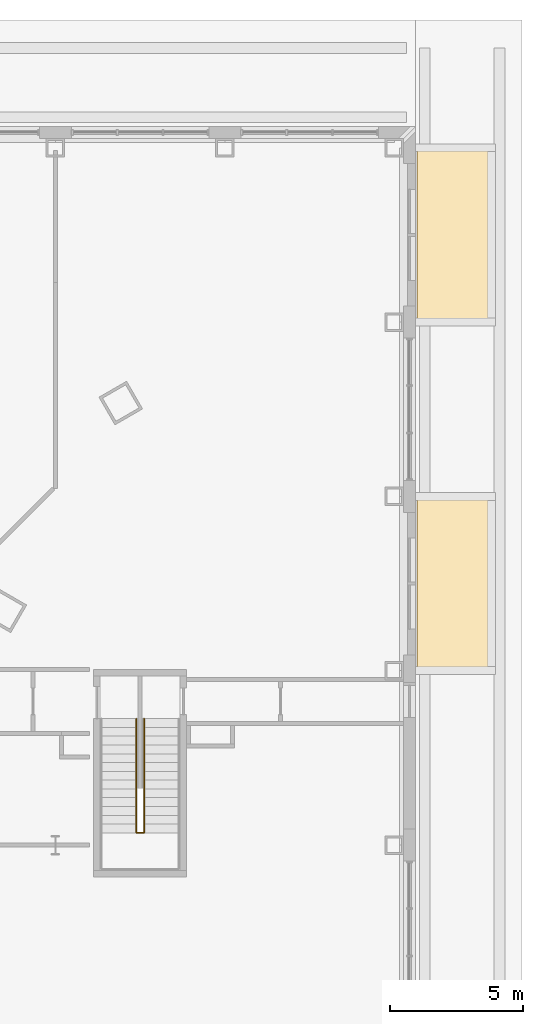
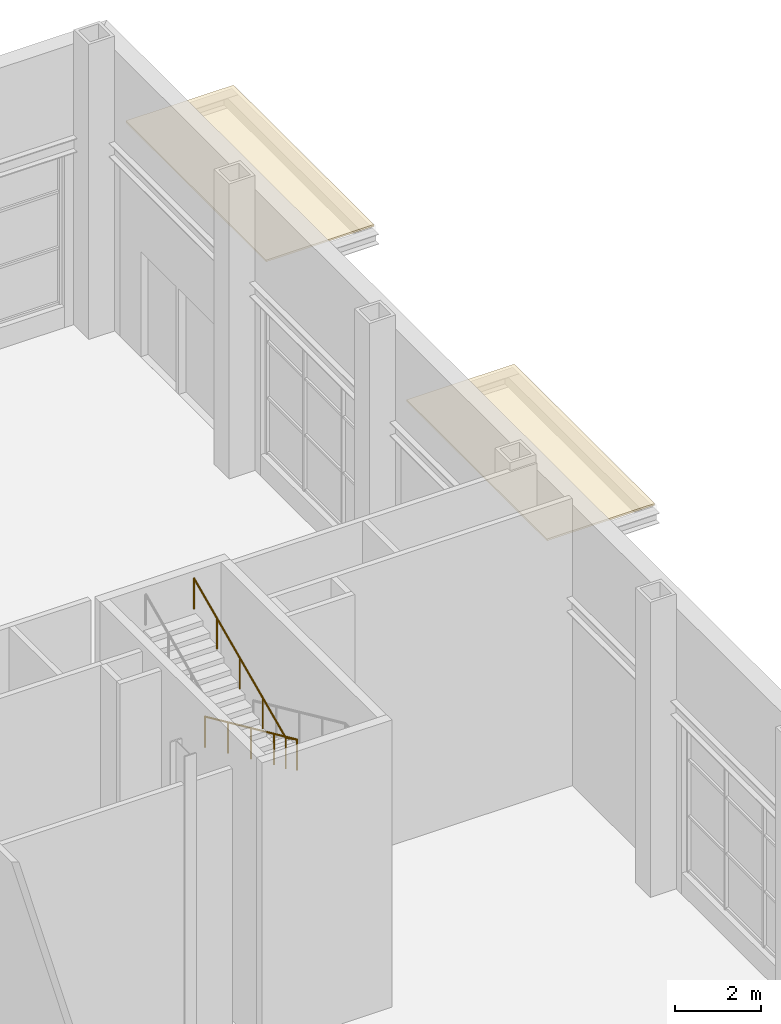
# One storey, part 33 of 34: 2 coverings, 1 railing.
"""IFC4 building model written with IfcOpenShell, lengths in metres."""

from ifc_helpers import new_model, si_unit, direction, frame, origin, origin_2d, place, context, subcontext, project, spatial, polyline, circle, outline, extrude, material, layer, layer_set, type_object, element, save


model = new_model("IFC4")

# Units and contexts
model_context = context("Model", 3, precision=1e-05, world=origin(), true_north=direction((0.0, 1.0)))
body_context = subcontext(model_context, "Body", "Model", "MODEL_VIEW")
ifc_project = project(units=[si_unit("LENGTHUNIT", "METRE"), si_unit("AREAUNIT", "SQUARE_METRE"), si_unit("VOLUMEUNIT", "CUBIC_METRE"), si_unit("PLANEANGLEUNIT", "RADIAN"), si_unit("MASSUNIT", "GRAM", prefix="KILO")], contexts=[model_context])

# Site, building, storey
site_placement = place(None, origin())
site = spatial("IfcSite", under=ifc_project, at=site_placement, CompositionType="ELEMENT")
building_placement = place(site_placement, origin())
building = spatial("IfcBuilding", under=site, at=building_placement, Name="Njiva Tower", CompositionType="ELEMENT")
storey_placement = place(building_placement, origin())
storey = spatial("IfcBuildingStorey", under=building, at=storey_placement, Name="L00", CompositionType="ELEMENT", Elevation=0.0)

# Coverings
ifc_material_1 = material(Name="Roofing membrane and ballast", Category="membrane")
ifc_layer = layer(ifc_material_1, 0.05)
ifc_layer_set = layer_set([ifc_layer], Name="Roofing membrane and ballast")
covering_type = type_object("IfcCoveringType", Name="RF90 Canopy roof finish 50", PredefinedType="ROOFING", material=ifc_layer_set)
covering_1_placement = place(storey_placement, frame((0.0, 0.0, 5.55)))
element("IfcCovering", 1, at=covering_1_placement, inside=storey, type_object=covering_type, Name="Canopy roof finish", PredefinedType="ROOFING", context=body_context, shape_type="SweptSolid", body=[
    extrude(outline(polyline([(39.05, -0.25), (39.05, 6.3), (41.95, 6.3), (41.95, -0.25), (39.05, -0.25)])), origin(), (0.0, 0.0, 1.0), 0.05),
])
covering_2_placement = place(storey_placement, frame((0.0, 0.0, 5.55)))
element("IfcCovering", 2, at=covering_2_placement, inside=storey, type_object=covering_type, Name="Canopy roof finish", PredefinedType="ROOFING", context=body_context, shape_type="SweptSolid", body=[
    extrude(outline(polyline([(39.05, 12.85), (39.05, 19.4), (41.95, 19.4), (41.95, 12.85), (39.05, 12.85)])), origin(), (0.0, 0.0, 1.0), 0.05),
])

# Railing
ifc_material_2 = material(Name="Stainless steel", Category="steel")
railing_type = type_object("IfcRailingType", Name="RL1 Stair handrail 900", PredefinedType="HANDRAIL", material=ifc_material_2)
railing_placement = place(storey_placement, frame((28.8, -2.05, 4.35)))
element("IfcRailing", 3, at=railing_placement, inside=storey, type_object=railing_type, Name="Stair G handrail", PredefinedType="HANDRAIL", context=body_context, shape_type="SweptSolid", body=[
    extrude(circle(Radius=0.024, at=origin_2d()), frame((0.0, 0.0, 0.876), z_axis=(0.0, -0.910366477463, 0.413802944301), x_axis=(1.0, 0.0, 0.0)), (0.0, 0.0, 1.0), 4.7124),
    extrude(circle(Radius=0.024, at=origin_2d()), frame((0.0, -4.29, 2.826), z_axis=(-0.894427191, 0.0, 0.4472135955), x_axis=(0.0, -1.0, 0.0)), (0.0, 0.0, 1.0), 0.3354),
    extrude(circle(Radius=0.024, at=origin_2d()), frame((-0.3, -4.29, 2.976), z_axis=(0.0, 0.910366477463, 0.413802944301), x_axis=(-1.0, 0.0, 0.0)), (0.0, 0.0, 1.0), 4.7124),
    extrude(circle(Radius=0.021, at=origin_2d()), origin(), (0.0, 0.0, 1.0), 0.852),
    extrude(circle(Radius=0.021, at=origin_2d()), frame((0.0, -1.0725, 0.4875)), (0.0, 0.0, 1.0), 0.852),
    extrude(circle(Radius=0.021, at=origin_2d()), frame((0.0, -2.145, 0.975)), (0.0, 0.0, 1.0), 0.852),
    extrude(circle(Radius=0.021, at=origin_2d()), frame((0.0, -3.2175, 1.4625)), (0.0, 0.0, 1.0), 0.852),
    extrude(circle(Radius=0.021, at=origin_2d()), frame((0.0, -4.29, 1.95)), (0.0, 0.0, 1.0), 0.852),
    extrude(circle(Radius=0.021, at=origin_2d()), frame((-0.3, -4.29, 2.1)), (0.0, 0.0, 1.0), 0.852),
    extrude(circle(Radius=0.021, at=origin_2d()), frame((-0.3, -3.2175, 2.5875)), (0.0, 0.0, 1.0), 0.852),
    extrude(circle(Radius=0.021, at=origin_2d()), frame((-0.3, -2.145, 3.075)), (0.0, 0.0, 1.0), 0.852),
    extrude(circle(Radius=0.021, at=origin_2d()), frame((-0.3, -1.0725, 3.5625)), (0.0, 0.0, 1.0), 0.852),
    extrude(circle(Radius=0.021, at=origin_2d()), frame((-0.3, 0.0, 4.05)), (0.0, 0.0, 1.0), 0.852),
])

save(model, "model.ifc")
